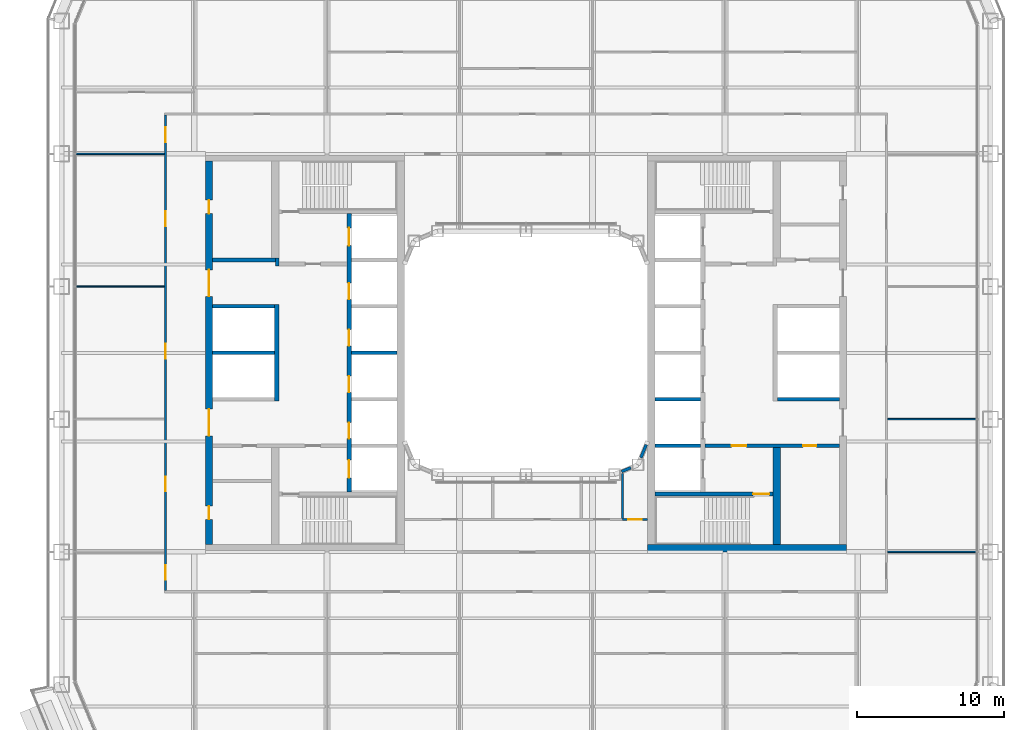
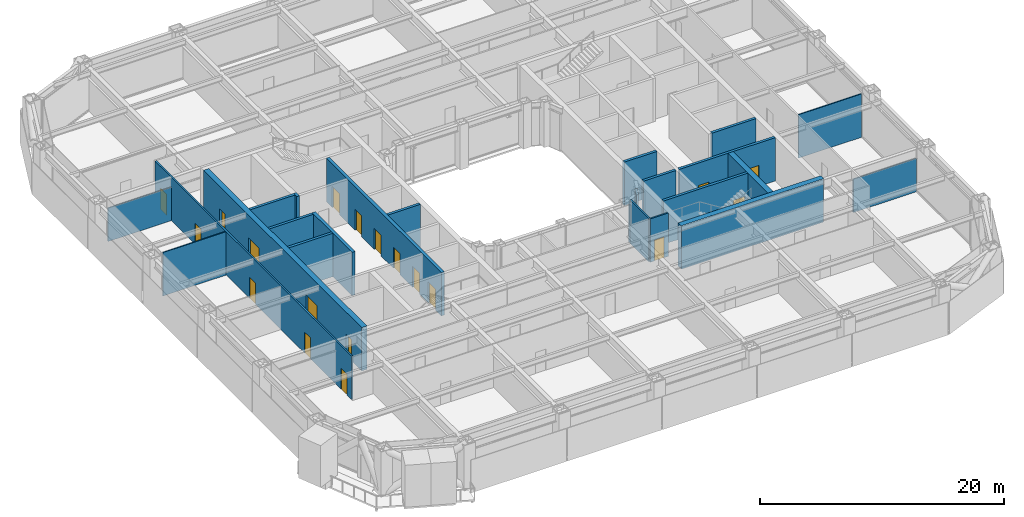
# One storey, part 14 of 27: 24 walls, 19 doors, 19 openings.
"""IFC4 building model written with IfcOpenShell, lengths in metres."""

import ifcopenshell
import ifcopenshell.guid

model = None  # the IFC model being written
_history = None  # IfcOwnerHistory: only IFC2X3 demands one
_inside = {}  # id of a spatial element -> (the spatial element, [elements in it])
_under = {}  # id of a project, library or spatial element -> (it, [spatial elements below it])
_declared = {}  # id of a project -> (the project, [libraries it declares])
_typed = {}  # id of a type object -> (the type object, [elements of that type])
_made_of = {}  # id of a material, layer set ... -> (it, [elements and type objects made of it])


def new_model(schema):
    """Start an empty IFC model of exactly this schema.

    Asked for "IFC4X3", IfcOpenShell would pick the latest addendum, in which some entities
    have other attributes; the version numbers below select the first issue.
    IFC2X3 requires an IfcOwnerHistory on every rooted entity: one is made here for all.
    """
    global model, _history
    if schema == "IFC4X3":
        model = ifcopenshell.file(schema_version=(4, 3, 0, 0))
    else:
        model = ifcopenshell.file(schema=schema)
    _inside.clear()
    _under.clear()
    _declared.clear()
    _typed.clear()
    _made_of.clear()
    _history = None
    if model.schema == "IFC2X3":
        org = make("IfcOrganization", Name="unknown")
        user = make(
            "IfcPersonAndOrganization",
            ThePerson=make("IfcPerson", FamilyName="unknown"),
            TheOrganization=org,
        )
        app = make(
            "IfcApplication",
            ApplicationDeveloper=org,
            Version="unknown",
            ApplicationFullName="unknown",
            ApplicationIdentifier="unknown",
        )
        _history = make(
            "IfcOwnerHistory",
            OwningUser=user,
            OwningApplication=app,
            ChangeAction="ADDED",
            CreationDate=0,
        )
    return model


def make(cls, **values):
    """One entity of the class cls with the attributes given. An attribute that is None is left unset."""
    return model.create_entity(
        cls, **{name: value for name, value in values.items() if value is not None}
    )


def rooted(cls, **values):
    """An entity with a GlobalId (a new one), such as an element, a storey or a relation."""
    return make(cls, GlobalId=ifcopenshell.guid.new(), OwnerHistory=_history, **values)


def si_unit(unit_type, name, prefix=None):
    """IfcSIUnit, for example si_unit("LENGTHUNIT", "METRE", prefix="MILLI")."""
    return make("IfcSIUnit", UnitType=unit_type, Prefix=prefix, Name=name)


def assignment(units):
    """IfcUnitAssignment: the units of a project."""
    return None if units is None else make("IfcUnitAssignment", Units=units)


def point(xyz):
    """IfcCartesianPoint."""
    return None if xyz is None else make("IfcCartesianPoint", Coordinates=xyz)


def direction(xyz):
    """IfcDirection."""
    return None if xyz is None else make("IfcDirection", DirectionRatios=xyz)


def frame(location, z_axis=None, x_axis=None):
    """IfcAxis2Placement3D, a coordinate frame: its origin and axes. An axis left out is left unset."""
    return make(
        "IfcAxis2Placement3D",
        Location=point(location),
        Axis=direction(z_axis),
        RefDirection=direction(x_axis),
    )


def frame_2d(location, x_axis=None):
    """IfcAxis2Placement2D, a coordinate frame in the plane: its origin and x axis."""
    return make(
        "IfcAxis2Placement2D", Location=point(location), RefDirection=direction(x_axis)
    )


def origin():
    """The frame at (0, 0, 0) with its axes left unset."""
    return frame((0.0, 0.0, 0.0))


def place(relative_to, where):
    """IfcLocalPlacement: puts the frame where relative to a parent placement (None: the world)."""
    return make(
        "IfcLocalPlacement", PlacementRelTo=relative_to, RelativePlacement=where
    )


def context(
    kind, dimensions, precision=None, world=None, true_north=None, identifier=None
):
    """IfcGeometricRepresentationContext, for example the 3D "Model" context."""
    return make(
        "IfcGeometricRepresentationContext",
        ContextIdentifier=identifier,
        ContextType=kind,
        CoordinateSpaceDimension=dimensions,
        Precision=precision,
        WorldCoordinateSystem=world,
        TrueNorth=true_north,
    )


def subcontext(parent, identifier, kind, view, scale=None):
    """IfcGeometricRepresentationSubContext, for example "Body" below "Model"."""
    return make(
        "IfcGeometricRepresentationSubContext",
        ContextIdentifier=identifier,
        ContextType=kind,
        ParentContext=parent,
        TargetScale=scale,
        TargetView=view,
    )


def project(units=None, contexts=None):
    """IfcProject with its units and contexts."""
    return rooted(
        "IfcProject",
        Name="project",
        RepresentationContexts=contexts,
        UnitsInContext=assignment(units),
    )


def spatial(cls, under=None, at=None, **own):
    """A site, building, storey or space (cls), placed at a placement, below another one or the project."""
    s = rooted(cls, ObjectPlacement=at, **own)
    if under is not None:
        _under.setdefault(under.id(), (under, []))[1].append(s)
    return s


def profile(cls, at=None, kind="AREA", **sizes):
    """A parametric profile (cls). Its sizes go by their IFC names, for example OverallWidth=200.0."""
    return make(cls, ProfileType=kind, Position=at, **sizes)


def rectangle(**sizes):
    """IfcRectangleProfileDef."""
    return profile("IfcRectangleProfileDef", **sizes)


def extrude(swept, where, along, depth):
    """IfcExtrudedAreaSolid: the profile swept, set in the frame where, extruded along a direction by depth."""
    return make(
        "IfcExtrudedAreaSolid",
        SweptArea=swept,
        Position=where,
        ExtrudedDirection=direction(along),
        Depth=depth,
    )


def shape(context_of_items, identifier, shape_type, items):
    """IfcShapeRepresentation: the items that make up one representation, for example the "Body"."""
    return make(
        "IfcShapeRepresentation",
        ContextOfItems=context_of_items,
        RepresentationIdentifier=identifier,
        RepresentationType=shape_type,
        Items=items,
    )


def material(Name=None, Category=None):
    """IfcMaterial."""
    return make("IfcMaterial", Name=Name, Category=Category)


def layer(
    of_material, thickness, ventilated=None, Name=None, Category=None, Priority=None
):
    """IfcMaterialLayer: one layer of a wall or slab, of a material (None: an air gap)."""
    return make(
        "IfcMaterialLayer",
        Material=of_material,
        LayerThickness=thickness,
        IsVentilated=ventilated,
        Name=Name,
        Category=Category,
        Priority=Priority,
    )


def layer_set(layers, Name=None):
    """IfcMaterialLayerSet."""
    return make("IfcMaterialLayerSet", MaterialLayers=layers, LayerSetName=Name)


def made_of(thing, what):
    """Note that an element or type object is made of a material, layer set ...; save() writes the relation."""
    if what is not None:
        _made_of.setdefault(what.id(), (what, []))[1].append(thing)
    return thing


def type_object(cls, material=None, **own):
    """A type object (cls), such as IfcWallType, which elements share."""
    return made_of(rooted(cls, **own), material)


def element(
    cls,
    number,
    at=None,
    inside=None,
    cuts=None,
    type_object=None,
    material=None,
    context=None,
    identifier="Body",
    shape_type=None,
    held_by="IfcProductDefinitionShape",
    body=None,
    shapes=None,
    **own,
):
    """One element of the class cls, such as IfcWall. Its Tag is "e" and its number.

    at: its placement. inside: the storey or other place that contains it. cuts: it is an
    opening in that element (IfcRelVoidsElement). A single representation is given by context,
    identifier, shape_type and body (its items); several are given by shapes. held_by: the class
    of the entity that holds the representations. save() writes the other relations.
    """
    e = rooted(cls, Tag="e%d" % number, ObjectPlacement=at, **own)
    if body is not None:
        shapes = [shape(context, identifier, shape_type, body)]
    if shapes is not None:
        e.Representation = make(held_by, Representations=shapes)
    if inside is not None:
        _inside.setdefault(inside.id(), (inside, []))[1].append(e)
    if cuts is not None:
        rooted(
            "IfcRelVoidsElement", RelatingBuildingElement=cuts, RelatedOpeningElement=e
        )
    if type_object is not None:
        _typed.setdefault(type_object.id(), (type_object, []))[1].append(e)
    return made_of(e, material)


def fill(opening, filler):
    """IfcRelFillsElement: the door or window that sits in an opening."""
    return rooted(
        "IfcRelFillsElement",
        RelatingOpeningElement=opening,
        RelatedBuildingElement=filler,
    )


def aggregate(whole, parts):
    """IfcRelAggregates: a whole, such as a stair, and the parts it consists of."""
    return rooted("IfcRelAggregates", RelatingObject=whole, RelatedObjects=parts)


def save(model, path):
    """Write the relations noted so far, then the file.

    IfcRelAggregates (storeys below a building ...), IfcRelContainedInSpatialStructure (elements
    in a storey), IfcRelDefinesByType, IfcRelAssociatesMaterial and IfcRelDeclares: one each for
    every whole, place, type object, material and project.
    """
    for whole, parts in _under.values():
        aggregate(whole, parts)
    for where, things in _inside.values():
        rooted(
            "IfcRelContainedInSpatialStructure",
            RelatedElements=things,
            RelatingStructure=where,
        )
    for kind, things in _typed.values():
        rooted("IfcRelDefinesByType", RelatedObjects=things, RelatingType=kind)
    for what, things in _made_of.values():
        rooted("IfcRelAssociatesMaterial", RelatedObjects=things, RelatingMaterial=what)
    for by, libraries in _declared.values():
        rooted("IfcRelDeclares", RelatingContext=by, RelatedDefinitions=libraries)
    model.write(path)


model = new_model("IFC4")

# Units and contexts
model_context = context("Model", 3, precision=1e-05, world=origin(), true_north=direction((0.0, 1.0)))
body_context = subcontext(model_context, "Body", "Model", "MODEL_VIEW")
ifc_project = project(units=[si_unit("LENGTHUNIT", "METRE"), si_unit("AREAUNIT", "SQUARE_METRE"), si_unit("VOLUMEUNIT", "CUBIC_METRE"), si_unit("PLANEANGLEUNIT", "RADIAN"), si_unit("MASSUNIT", "GRAM", prefix="KILO")], contexts=[model_context])

# Site, building, storey
site_placement = place(None, origin())
site = spatial("IfcSite", under=ifc_project, at=site_placement, CompositionType="ELEMENT")
building_placement = place(site_placement, origin())
building = spatial("IfcBuilding", under=site, at=building_placement, Name="Siwar Civic Tower", CompositionType="ELEMENT")
storey_placement = place(building_placement, frame((0.0, 0.0, 35.699951171875)))
storey = spatial("IfcBuildingStorey", under=building, at=storey_placement, Name="L07", CompositionType="ELEMENT", Elevation=35.699951171875)

# Wall, opening, door
ifc_material_1 = material(Name="Gypsum board on steel studs", Category="steel")
ifc_layer_1 = layer(ifc_material_1, 0.14990234375)
ifc_layer_set_1 = layer_set([ifc_layer_1], Name="Gypsum board on steel studs")
wall_type_1 = type_object("IfcWallType", Name="COMPARTMENT PARTITION 150 EI 60", PredefinedType="PARTITIONING", material=ifc_layer_set_1)
wall_1_placement = place(storey_placement, frame((6.5400390625, -11.300048828125, 0.0), z_axis=(0.0, 0.0, 1.0), x_axis=(1.0, 0.0, 0.0)))
wall_1 = element("IfcWall", 1, at=wall_1_placement, inside=storey, type_object=wall_type_1, Name="L07/wall/P08", PredefinedType="PARTITIONING", context=body_context, shape_type="SweptSolid", body=[
    extrude(rectangle(XDim=1.7099609375, YDim=0.14990234375, at=frame_2d((0.85498046875, 0.0))), origin(), (0.0, 0.0, 1.0), 4.35009765625),
])
opening_1_placement = place(wall_1_placement, frame((0.409912109375, 0.0, 0.0)))
opening_1 = element("IfcOpeningElement", 2, at=opening_1_placement, cuts=wall_1, Name="Opening D4", PredefinedType="OPENING", context=body_context, shape_type="SweptSolid", body=[
    extrude(rectangle(XDim=0.89990234375, YDim=2.10009765625, at=frame_2d((0.449951171875, 1.050048828125))), frame((0.0, 0.0849609375, 0.0), z_axis=(0.0, -1.0, 0.0), x_axis=(1.0, 0.0, 0.0)), (0.0, 0.0, 1.0), 0.169921875),
])
ifc_material_2 = material(Name="Timber, painted", Category="wood")
door_type_1 = type_object("IfcDoorType", Name="DOOR 900 X 2100 FD60", OperationType="SINGLE_SWING_LEFT", PredefinedType="DOOR", material=ifc_material_2)
door_1_placement = place(opening_1_placement, origin())
door_1 = element("IfcDoor", 3, at=door_1_placement, inside=storey, type_object=door_type_1, Name="L07-D37", OperationType="SINGLE_SWING_LEFT", OverallHeight=2.10009765625, OverallWidth=0.89990234375, PredefinedType="DOOR", context=body_context, shape_type="SweptSolid", body=[
    extrude(rectangle(XDim=0.89990234375, YDim=2.10009765625, at=frame_2d((0.449951171875, 1.050048828125))), frame((0.0, 0.02490234375, 0.0), z_axis=(0.0, -1.0, 0.0), x_axis=(1.0, 0.0, 0.0)), (0.0, 0.0, 1.0), 0.050048828125),
])
fill(opening_1, door_1)

# Walls
wall_2_placement = place(storey_placement, frame((6.5400390625, -11.22509765625, 0.0), z_axis=(0.0, 0.0, 1.0), x_axis=(0.0, 1.0, 0.0)))
element("IfcWall", 4, at=wall_2_placement, inside=storey, type_object=wall_type_1, Name="L07/wall/P35", PredefinedType="PARTITIONING", context=body_context, shape_type="SweptSolid", body=[
    extrude(rectangle(XDim=3.049072265625, YDim=0.14990234375, at=frame_2d((1.5244140625, 0.0))), origin(), (0.0, 0.0, 1.0), 4.35009765625),
])
ifc_material_3 = material(Name="Concrete C60/75", Category="concrete")
ifc_layer_2 = layer(ifc_material_3, 0.25)
ifc_layer_set_2 = layer_set([ifc_layer_2], Name="Concrete C60/75")
wall_type_2 = type_object("IfcWallType", Name="CORE-WALL-RC250", PredefinedType="SHEAR", material=ifc_layer_set_2)
wall_3_placement = place(storey_placement, frame((-16.875, 5.89990234375, 0.0), z_axis=(0.0, 0.0, 1.0), x_axis=(0.0, 1.0, 0.0)))
element("IfcWall", 5, at=wall_3_placement, inside=storey, type_object=wall_type_2, Name="Core wall W", PredefinedType="SHEAR", context=body_context, shape_type="SweptSolid", body=[
    extrude(rectangle(XDim=0.525146484375, YDim=0.25, at=frame_2d((0.2626953125, 0.0))), origin(), (0.0, 0.0, 1.0), 4.35009765625),
])
wall_4_placement = place(storey_placement, frame((-17.0, 6.300048828125, 0.0), z_axis=(0.0, 0.0, 1.0), x_axis=(-1.0, 0.0, 0.0)))
element("IfcWall", 6, at=wall_4_placement, inside=storey, type_object=wall_type_2, Name="Core wall W", PredefinedType="SHEAR", context=body_context, shape_type="SweptSolid", body=[
    extrude(rectangle(XDim=4.25, YDim=0.25, at=frame_2d((2.125, 0.0))), origin(), (0.0, 0.0, 1.0), 4.35009765625),
])
for number, where, z_axis, x_axis, name in (
    (7, (-17.050048828125, 0.0, 0.0), (0.0, 0.0, 1.0), (-1.0, 0.0, 0.0), "Core wall W"),
    (8, (-17.050048828125, 3.14990234375, 0.0), (0.0, 0.0, 1.0), (-1.0, 0.0, 0.0), "Core wall W"),
):
    element("IfcWall", number, at=place(storey_placement, frame(where, z_axis=z_axis, x_axis=x_axis)), inside=storey, type_object=wall_type_2, Name=name, PredefinedType="SHEAR", context=body_context, shape_type="SweptSolid", body=[
        extrude(rectangle(XDim=4.199951171875, YDim=0.25, at=frame_2d((2.10009765625, 0.0))), origin(), (0.0, 0.0, 1.0), 4.35009765625),
    ])
wall_5_placement = place(storey_placement, frame((-8.75, 0.0, 0.0), z_axis=(0.0, 0.0, 1.0), x_axis=(-1.0, 0.0, 0.0)))
element("IfcWall", 9, at=wall_5_placement, inside=storey, type_object=wall_type_2, Name="Core wall W", PredefinedType="SHEAR", context=body_context, shape_type="SweptSolid", body=[
    extrude(rectangle(XDim=3.10009765625, YDim=0.25, at=frame_2d((1.550048828125, 0.0))), origin(), (0.0, 0.0, 1.0), 4.35009765625),
])

# Wall, openings, doors
wall_6_placement = place(storey_placement, frame((12.14990234375, -6.300048828125, 0.0), z_axis=(0.0, 0.0, 1.0), x_axis=(1.0, 0.0, 0.0)))
wall_6 = element("IfcWall", 10, at=wall_6_placement, inside=storey, type_object=wall_type_2, Name="Core wall E", PredefinedType="SHEAR", context=body_context, shape_type="SweptSolid", body=[
    extrude(rectangle(XDim=9.10009765625, YDim=0.25, at=frame_2d((4.550048828125, 0.0))), origin(), (0.0, 0.0, 1.0), 4.35009765625),
])
opening_2_placement = place(wall_6_placement, frame((1.800048828125, 0.0, 0.0)))
opening_2 = element("IfcOpeningElement", 11, at=opening_2_placement, cuts=wall_6, Name="Opening L07-CE02", PredefinedType="OPENING", context=body_context, shape_type="SweptSolid", body=[
    extrude(rectangle(XDim=1.0, YDim=2.10009765625, at=frame_2d((0.5, 1.050048828125))), frame((0.0, 0.135009765625, 0.0), z_axis=(0.0, -1.0, 0.0), x_axis=(1.0, 0.0, 0.0)), (0.0, 0.0, 1.0), 0.27001953125),
])
opening_3_placement = place(wall_6_placement, frame((6.64990234375, 0.0, 0.0)))
opening_3 = element("IfcOpeningElement", 12, at=opening_3_placement, cuts=wall_6, Name="Opening L07-CE15", PredefinedType="OPENING", context=body_context, shape_type="SweptSolid", body=[
    extrude(rectangle(XDim=0.89990234375, YDim=2.10009765625, at=frame_2d((0.449951171875, 1.050048828125))), frame((0.0, 0.135009765625, 0.0), z_axis=(0.0, -1.0, 0.0), x_axis=(1.0, 0.0, 0.0)), (0.0, 0.0, 1.0), 0.27001953125),
])
ifc_material_4 = material(Name="Steel door leaf", Category="steel")
door_type_2 = type_object("IfcDoorType", Name="CORE-DOOR-FD30S", OperationType="SINGLE_SWING_LEFT", PredefinedType="DOOR", material=ifc_material_4)
door_2_placement = place(opening_2_placement, origin())
door_2 = element("IfcDoor", 13, at=door_2_placement, inside=storey, type_object=door_type_2, Name="Service lobby door L07-CE02", OperationType="SINGLE_SWING_LEFT", OverallHeight=2.10009765625, OverallWidth=1.0, PredefinedType="DOOR", context=body_context, shape_type="SweptSolid", body=[
    extrude(rectangle(XDim=1.0, YDim=2.10009765625, at=frame_2d((0.5, 1.050048828125))), frame((0.0, 0.02490234375, 0.0), z_axis=(0.0, -1.0, 0.0), x_axis=(1.0, 0.0, 0.0)), (0.0, 0.0, 1.0), 0.050048828125),
])
fill(opening_2, door_2)
ifc_material_5 = material(Name="Steel door leaf", Category="steel")
door_type_3 = type_object("IfcDoorType", Name="CORE-DOOR-ROOM", OperationType="SINGLE_SWING_LEFT", PredefinedType="DOOR", material=ifc_material_5)
door_3_placement = place(opening_3_placement, origin())
door_3 = element("IfcDoor", 14, at=door_3_placement, inside=storey, type_object=door_type_3, Name="Core room door L07-CE15", OperationType="SINGLE_SWING_LEFT", OverallHeight=2.10009765625, OverallWidth=0.89990234375, PredefinedType="DOOR", context=body_context, shape_type="SweptSolid", body=[
    extrude(rectangle(XDim=0.89990234375, YDim=2.10009765625, at=frame_2d((0.449951171875, 1.050048828125))), frame((0.0, 0.02490234375, 0.0), z_axis=(0.0, -1.0, 0.0), x_axis=(1.0, 0.0, 0.0)), (0.0, 0.0, 1.0), 0.050048828125),
])
fill(opening_3, door_3)

# Walls
wall_7_placement = place(storey_placement, frame((17.050048828125, -3.14990234375, 0.0), z_axis=(0.0, 0.0, 1.0), x_axis=(1.0, 0.0, 0.0)))
element("IfcWall", 15, at=wall_7_placement, inside=storey, type_object=wall_type_2, Name="Core wall E", PredefinedType="SHEAR", context=body_context, shape_type="SweptSolid", body=[
    extrude(rectangle(XDim=4.199951171875, YDim=0.25, at=frame_2d((2.10009765625, 0.0))), origin(), (0.0, 0.0, 1.0), 4.35009765625),
])
for number, where, z_axis, x_axis, name in (
    (16, (8.75, -3.14990234375, 0.0), (0.0, 0.0, 1.0), (1.0, 0.0, 0.0), "Core wall E"),
    (17, (8.75, -6.300048828125, 0.0), (0.0, 0.0, 1.0), (1.0, 0.0, 0.0), "Core wall E"),
):
    element("IfcWall", number, at=place(storey_placement, frame(where, z_axis=z_axis, x_axis=x_axis)), inside=storey, type_object=wall_type_2, Name=name, PredefinedType="SHEAR", context=body_context, shape_type="SweptSolid", body=[
        extrude(rectangle(XDim=3.10009765625, YDim=0.25, at=frame_2d((1.550048828125, 0.0))), origin(), (0.0, 0.0, 1.0), 4.35009765625),
    ])

# Wall, opening, door
wall_8_placement = place(storey_placement, frame((8.75, -9.574951171875, 0.0), z_axis=(0.0, 0.0, 1.0), x_axis=(1.0, 0.0, 0.0)))
wall_8 = element("IfcWall", 18, at=wall_8_placement, inside=storey, type_object=wall_type_2, Name="Core wall E", PredefinedType="SHEAR", context=body_context, shape_type="SweptSolid", body=[
    extrude(rectangle(XDim=8.0, YDim=0.25, at=frame_2d((4.0, 0.0))), origin(), (0.0, 0.0, 1.0), 4.35009765625),
])
opening_4_placement = place(wall_8_placement, frame((6.64990234375, 0.0, 0.0)))
opening_4 = element("IfcOpeningElement", 19, at=opening_4_placement, cuts=wall_8, Name="Opening L07-CE04", PredefinedType="OPENING", context=body_context, shape_type="SweptSolid", body=[
    extrude(rectangle(XDim=1.10009765625, YDim=2.10009765625, at=frame_2d((0.550048828125, 1.050048828125))), frame((0.0, 0.135009765625, 0.0), z_axis=(0.0, -1.0, 0.0), x_axis=(1.0, 0.0, 0.0)), (0.0, 0.0, 1.0), 0.27001953125),
])
ifc_material_6 = material(Name="Steel door leaf", Category="steel")
door_type_4 = type_object("IfcDoorType", Name="CORE-DOOR-FD60S", OperationType="SINGLE_SWING_LEFT", PredefinedType="DOOR", material=ifc_material_6)
door_4_placement = place(opening_4_placement, origin())
door_4 = element("IfcDoor", 20, at=door_4_placement, inside=storey, type_object=door_type_4, Name="Stair door L07-CE04", OperationType="SINGLE_SWING_RIGHT", OverallHeight=2.10009765625, OverallWidth=1.10009765625, PredefinedType="DOOR", context=body_context, shape_type="SweptSolid", body=[
    extrude(rectangle(XDim=1.10009765625, YDim=2.10009765625, at=frame_2d((0.550048828125, 1.050048828125))), frame((0.0, 0.02490234375, 0.0), z_axis=(0.0, -1.0, 0.0), x_axis=(1.0, 0.0, 0.0)), (0.0, 0.0, 1.0), 0.050048828125),
])
fill(opening_4, door_4)

# Wall, openings, doors
ifc_material_7 = material(Name="Concrete C60/75", Category="concrete")
ifc_layer_3 = layer(ifc_material_7, 0.300048828125)
ifc_layer_set_3 = layer_set([ifc_layer_3], Name="Concrete C60/75")
wall_type_3 = type_object("IfcWallType", Name="CORE-WALL-RC300", PredefinedType="SHEAR", material=ifc_layer_set_3)
wall_9_placement = place(storey_placement, frame((-12.0, -9.449951171875, 0.0), z_axis=(0.0, 0.0, 1.0), x_axis=(0.0, 1.0, 0.0)))
wall_9 = element("IfcWall", 21, at=wall_9_placement, inside=storey, type_object=wall_type_3, Name="Core wall W", PredefinedType="SHEAR", context=body_context, shape_type="SweptSolid", body=[
    extrude(rectangle(XDim=18.89990234375, YDim=0.300048828125, at=frame_2d((9.449951171875, 0.0))), origin(), (0.0, 0.0, 1.0), 4.35009765625),
])
opening_5_placement = place(wall_9_placement, frame((3.625, 0.0, 0.0)))
opening_5 = element("IfcOpeningElement", 22, at=opening_5_placement, cuts=wall_9, Name="Opening L07-CW07", PredefinedType="OPENING", context=body_context, shape_type="SweptSolid", body=[
    extrude(rectangle(XDim=1.10009765625, YDim=2.10009765625, at=frame_2d((0.550048828125, 1.050048828125))), frame((0.0, 0.16015625, 0.0), z_axis=(0.0, -1.0, 0.0), x_axis=(1.0, 0.0, 0.0)), (0.0, 0.0, 1.0), 0.320068359375),
])
opening_6_placement = place(wall_9_placement, frame((6.77490234375, 0.0, 0.0)))
opening_6 = element("IfcOpeningElement", 23, at=opening_6_placement, cuts=wall_9, Name="Opening L07-CW08", PredefinedType="OPENING", context=body_context, shape_type="SweptSolid", body=[
    extrude(rectangle(XDim=1.10009765625, YDim=2.10009765625, at=frame_2d((0.550048828125, 1.050048828125))), frame((0.0, 0.16015625, 0.0), z_axis=(0.0, -1.0, 0.0), x_axis=(1.0, 0.0, 0.0)), (0.0, 0.0, 1.0), 0.320068359375),
])
opening_7_placement = place(wall_9_placement, frame((9.925048828125, 0.0, 0.0)))
opening_7 = element("IfcOpeningElement", 24, at=opening_7_placement, cuts=wall_9, Name="Opening L07-CW09", PredefinedType="OPENING", context=body_context, shape_type="SweptSolid", body=[
    extrude(rectangle(XDim=1.10009765625, YDim=2.10009765625, at=frame_2d((0.550048828125, 1.050048828125))), frame((0.0, 0.16015625, 0.0), z_axis=(0.0, -1.0, 0.0), x_axis=(1.0, 0.0, 0.0)), (0.0, 0.0, 1.0), 0.320068359375),
])
opening_8_placement = place(wall_9_placement, frame((13.074951171875, 0.0, 0.0)))
opening_8 = element("IfcOpeningElement", 25, at=opening_8_placement, cuts=wall_9, Name="Opening L07-CW10", PredefinedType="OPENING", context=body_context, shape_type="SweptSolid", body=[
    extrude(rectangle(XDim=1.10009765625, YDim=2.10009765625, at=frame_2d((0.550048828125, 1.050048828125))), frame((0.0, 0.16015625, 0.0), z_axis=(0.0, -1.0, 0.0), x_axis=(1.0, 0.0, 0.0)), (0.0, 0.0, 1.0), 0.320068359375),
])
opening_9_placement = place(wall_9_placement, frame((16.72509765625, 0.0, 0.0)))
opening_9 = element("IfcOpeningElement", 26, at=opening_9_placement, cuts=wall_9, Name="Opening L07-CW11", PredefinedType="OPENING", context=body_context, shape_type="SweptSolid", body=[
    extrude(rectangle(XDim=1.199951171875, YDim=2.10009765625, at=frame_2d((0.60009765625, 1.050048828125))), frame((0.0, 0.16015625, 0.0), z_axis=(0.0, -1.0, 0.0), x_axis=(1.0, 0.0, 0.0)), (0.0, 0.0, 1.0), 0.320068359375),
])
opening_10_placement = place(wall_9_placement, frame((0.97509765625, 0.0, 0.0)))
opening_10 = element("IfcOpeningElement", 27, at=opening_10_placement, cuts=wall_9, Name="Opening L07-CW12", PredefinedType="OPENING", context=body_context, shape_type="SweptSolid", body=[
    extrude(rectangle(XDim=1.199951171875, YDim=2.10009765625, at=frame_2d((0.60009765625, 1.050048828125))), frame((0.0, 0.16015625, 0.0), z_axis=(0.0, -1.0, 0.0), x_axis=(1.0, 0.0, 0.0)), (0.0, 0.0, 1.0), 0.320068359375),
])
ifc_material_8 = material(Name="Steel door leaf", Category="steel")
door_type_5 = type_object("IfcDoorType", Name="CORE-DOOR-LD", OperationType="DOUBLE_DOOR_SLIDING", PredefinedType="DOOR", material=ifc_material_8)
door_5_placement = place(opening_5_placement, origin())
door_5 = element("IfcDoor", 28, at=door_5_placement, inside=storey, type_object=door_type_5, Name="Landing door LR1 L07-CW07", OperationType="DOUBLE_DOOR_SLIDING", OverallHeight=2.10009765625, OverallWidth=1.10009765625, PredefinedType="DOOR", context=body_context, shape_type="SweptSolid", body=[
    extrude(rectangle(XDim=1.10009765625, YDim=2.10009765625, at=frame_2d((0.550048828125, 1.050048828125))), frame((0.0, 0.02490234375, 0.0), z_axis=(0.0, -1.0, 0.0), x_axis=(1.0, 0.0, 0.0)), (0.0, 0.0, 1.0), 0.050048828125),
])
fill(opening_5, door_5)
door_6_placement = place(opening_6_placement, origin())
door_6 = element("IfcDoor", 29, at=door_6_placement, inside=storey, type_object=door_type_5, Name="Landing door LR2 L07-CW08", OperationType="DOUBLE_DOOR_SLIDING", OverallHeight=2.10009765625, OverallWidth=1.10009765625, PredefinedType="DOOR", context=body_context, shape_type="SweptSolid", body=[
    extrude(rectangle(XDim=1.10009765625, YDim=2.10009765625, at=frame_2d((0.550048828125, 1.050048828125))), frame((0.0, 0.02490234375, 0.0), z_axis=(0.0, -1.0, 0.0), x_axis=(1.0, 0.0, 0.0)), (0.0, 0.0, 1.0), 0.050048828125),
])
fill(opening_6, door_6)
door_7_placement = place(opening_7_placement, origin())
door_7 = element("IfcDoor", 30, at=door_7_placement, inside=storey, type_object=door_type_5, Name="Landing door LR3 L07-CW09", OperationType="DOUBLE_DOOR_SLIDING", OverallHeight=2.10009765625, OverallWidth=1.10009765625, PredefinedType="DOOR", context=body_context, shape_type="SweptSolid", body=[
    extrude(rectangle(XDim=1.10009765625, YDim=2.10009765625, at=frame_2d((0.550048828125, 1.050048828125))), frame((0.0, 0.02490234375, 0.0), z_axis=(0.0, -1.0, 0.0), x_axis=(1.0, 0.0, 0.0)), (0.0, 0.0, 1.0), 0.050048828125),
])
fill(opening_7, door_7)
door_8_placement = place(opening_8_placement, origin())
door_8 = element("IfcDoor", 31, at=door_8_placement, inside=storey, type_object=door_type_5, Name="Landing door LR4 L07-CW10", OperationType="DOUBLE_DOOR_SLIDING", OverallHeight=2.10009765625, OverallWidth=1.10009765625, PredefinedType="DOOR", context=body_context, shape_type="SweptSolid", body=[
    extrude(rectangle(XDim=1.10009765625, YDim=2.10009765625, at=frame_2d((0.550048828125, 1.050048828125))), frame((0.0, 0.02490234375, 0.0), z_axis=(0.0, -1.0, 0.0), x_axis=(1.0, 0.0, 0.0)), (0.0, 0.0, 1.0), 0.050048828125),
])
fill(opening_8, door_8)
ifc_material_9 = material(Name="Steel door leaf", Category="steel")
door_type_6 = type_object("IfcDoorType", Name="CORE-DOOR-LDW", OperationType="DOUBLE_DOOR_SLIDING", PredefinedType="DOOR", material=ifc_material_9)
door_9_placement = place(opening_9_placement, origin())
door_9 = element("IfcDoor", 32, at=door_9_placement, inside=storey, type_object=door_type_6, Name="Landing door FF1 L07-CW11", OperationType="DOUBLE_DOOR_SLIDING", OverallHeight=2.10009765625, OverallWidth=1.199951171875, PredefinedType="DOOR", context=body_context, shape_type="SweptSolid", body=[
    extrude(rectangle(XDim=1.199951171875, YDim=2.10009765625, at=frame_2d((0.60009765625, 1.050048828125))), frame((0.0, 0.02490234375, 0.0), z_axis=(0.0, -1.0, 0.0), x_axis=(1.0, 0.0, 0.0)), (0.0, 0.0, 1.0), 0.050048828125),
])
fill(opening_9, door_9)
door_10_placement = place(opening_10_placement, origin())
door_10 = element("IfcDoor", 33, at=door_10_placement, inside=storey, type_object=door_type_6, Name="Landing door SV1 L07-CW12", OperationType="DOUBLE_DOOR_SLIDING", OverallHeight=2.10009765625, OverallWidth=1.199951171875, PredefinedType="DOOR", context=body_context, shape_type="SweptSolid", body=[
    extrude(rectangle(XDim=1.199951171875, YDim=2.10009765625, at=frame_2d((0.60009765625, 1.050048828125))), frame((0.0, 0.02490234375, 0.0), z_axis=(0.0, -1.0, 0.0), x_axis=(1.0, 0.0, 0.0)), (0.0, 0.0, 1.0), 0.050048828125),
])
fill(opening_10, door_10)

# Wall
wall_10_placement = place(storey_placement, frame((-16.89990234375, -3.27490234375, 0.0), z_axis=(0.0, 0.0, 1.0), x_axis=(0.0, 1.0, 0.0)))
element("IfcWall", 34, at=wall_10_placement, inside=storey, type_object=wall_type_3, Name="Core wall W", PredefinedType="SHEAR", context=body_context, shape_type="SweptSolid", body=[
    extrude(rectangle(XDim=6.5498046875, YDim=0.300048828125, at=frame_2d((3.27490234375, 0.0))), origin(), (0.0, 0.0, 1.0), 4.35009765625),
])

# Wall, openings, doors
ifc_material_10 = material(Name="Concrete C60/75", Category="concrete")
ifc_layer_4 = layer(ifc_material_10, 0.5)
ifc_layer_set_4 = layer_set([ifc_layer_4], Name="Concrete C60/75")
wall_type_4 = type_object("IfcWallType", Name="CORE-WALL-RC500", PredefinedType="SHEAR", material=ifc_layer_set_4)
wall_11_placement = place(storey_placement, frame((-21.5, -13.0, 0.0), z_axis=(0.0, 0.0, 1.0), x_axis=(0.0, 1.0, 0.0)))
wall_11 = element("IfcWall", 35, at=wall_11_placement, inside=storey, type_object=wall_type_4, Name="Core wall W", PredefinedType="SHEAR", context=body_context, shape_type="SweptSolid", body=[
    extrude(rectangle(XDim=26.0, YDim=0.5, at=frame_2d((13.0, 0.0))), origin(), (0.0, 0.0, 1.0), 4.35009765625),
])
opening_11_placement = place(wall_11_placement, frame((16.824951171875, 0.0, 0.0)))
opening_11 = element("IfcOpeningElement", 36, at=opening_11_placement, cuts=wall_11, Name="Opening L07-CW05", PredefinedType="OPENING", context=body_context, shape_type="SweptSolid", body=[
    extrude(rectangle(XDim=1.800048828125, YDim=2.10009765625, at=frame_2d((0.89990234375, 1.050048828125))), frame((0.0, 0.260009765625, 0.0), z_axis=(0.0, -1.0, 0.0), x_axis=(1.0, 0.0, 0.0)), (0.0, 0.0, 1.0), 0.52001953125),
])
opening_12_placement = place(wall_11_placement, frame((7.375, 0.0, 0.0)))
opening_12 = element("IfcOpeningElement", 37, at=opening_12_placement, cuts=wall_11, Name="Opening L07-CW06", PredefinedType="OPENING", context=body_context, shape_type="SweptSolid", body=[
    extrude(rectangle(XDim=1.800048828125, YDim=2.10009765625, at=frame_2d((0.89990234375, 1.050048828125))), frame((0.0, 0.260009765625, 0.0), z_axis=(0.0, -1.0, 0.0), x_axis=(1.0, 0.0, 0.0)), (0.0, 0.0, 1.0), 0.52001953125),
])
opening_13_placement = place(wall_11_placement, frame((22.449951171875, 0.0, 0.0)))
opening_13 = element("IfcOpeningElement", 38, at=opening_13_placement, cuts=wall_11, Name="Opening L07-CW13", PredefinedType="OPENING", context=body_context, shape_type="SweptSolid", body=[
    extrude(rectangle(XDim=0.89990234375, YDim=2.10009765625, at=frame_2d((0.449951171875, 1.050048828125))), frame((0.0, 0.260009765625, 0.0), z_axis=(0.0, -1.0, 0.0), x_axis=(1.0, 0.0, 0.0)), (0.0, 0.0, 1.0), 0.52001953125),
])
opening_14_placement = place(wall_11_placement, frame((1.699951171875, 0.0, 0.0)))
opening_14 = element("IfcOpeningElement", 39, at=opening_14_placement, cuts=wall_11, Name="Opening L07-CW15", PredefinedType="OPENING", context=body_context, shape_type="SweptSolid", body=[
    extrude(rectangle(XDim=0.89990234375, YDim=2.10009765625, at=frame_2d((0.449951171875, 1.050048828125))), frame((0.0, 0.260009765625, 0.0), z_axis=(0.0, -1.0, 0.0), x_axis=(1.0, 0.0, 0.0)), (0.0, 0.0, 1.0), 0.52001953125),
])
ifc_material_11 = material(Name="Steel door leaf", Category="steel")
door_type_7 = type_object("IfcDoorType", Name="CORE-DOOR-PORT", OperationType="DOUBLE_DOOR_DOUBLE_SWING", PredefinedType="DOOR", material=ifc_material_11)
door_11_placement = place(opening_11_placement, origin())
door_11 = element("IfcDoor", 40, at=door_11_placement, inside=storey, type_object=door_type_7, Name="Core entrance door L07-CW05", OperationType="DOUBLE_DOOR_DOUBLE_SWING", OverallHeight=2.10009765625, OverallWidth=1.800048828125, PredefinedType="DOOR", context=body_context, shape_type="SweptSolid", body=[
    extrude(rectangle(XDim=1.800048828125, YDim=2.10009765625, at=frame_2d((0.89990234375, 1.050048828125))), frame((0.0, 0.02490234375, 0.0), z_axis=(0.0, -1.0, 0.0), x_axis=(1.0, 0.0, 0.0)), (0.0, 0.0, 1.0), 0.050048828125),
])
fill(opening_11, door_11)
door_12_placement = place(opening_12_placement, origin())
door_12 = element("IfcDoor", 41, at=door_12_placement, inside=storey, type_object=door_type_7, Name="Core entrance door L07-CW06", OperationType="DOUBLE_DOOR_DOUBLE_SWING", OverallHeight=2.10009765625, OverallWidth=1.800048828125, PredefinedType="DOOR", context=body_context, shape_type="SweptSolid", body=[
    extrude(rectangle(XDim=1.800048828125, YDim=2.10009765625, at=frame_2d((0.89990234375, 1.050048828125))), frame((0.0, 0.02490234375, 0.0), z_axis=(0.0, -1.0, 0.0), x_axis=(1.0, 0.0, 0.0)), (0.0, 0.0, 1.0), 0.050048828125),
])
fill(opening_12, door_12)
door_13_placement = place(opening_13_placement, origin())
door_13 = element("IfcDoor", 42, at=door_13_placement, inside=storey, type_object=door_type_3, Name="Core room door L07-CW13", OperationType="SINGLE_SWING_RIGHT", OverallHeight=2.10009765625, OverallWidth=0.89990234375, PredefinedType="DOOR", context=body_context, shape_type="SweptSolid", body=[
    extrude(rectangle(XDim=0.89990234375, YDim=2.10009765625, at=frame_2d((0.449951171875, 1.050048828125))), frame((0.0, 0.02490234375, 0.0), z_axis=(0.0, -1.0, 0.0), x_axis=(1.0, 0.0, 0.0)), (0.0, 0.0, 1.0), 0.050048828125),
])
fill(opening_13, door_13)
door_14_placement = place(opening_14_placement, origin())
door_14 = element("IfcDoor", 43, at=door_14_placement, inside=storey, type_object=door_type_3, Name="Core room door L07-CW15", OperationType="SINGLE_SWING_RIGHT", OverallHeight=2.10009765625, OverallWidth=0.89990234375, PredefinedType="DOOR", context=body_context, shape_type="SweptSolid", body=[
    extrude(rectangle(XDim=0.89990234375, YDim=2.10009765625, at=frame_2d((0.449951171875, 1.050048828125))), frame((0.0, 0.02490234375, 0.0), z_axis=(0.0, -1.0, 0.0), x_axis=(1.0, 0.0, 0.0)), (0.0, 0.0, 1.0), 0.050048828125),
])
fill(opening_14, door_14)

# Walls
wall_12_placement = place(storey_placement, frame((17.0, -13.0, 0.0), z_axis=(0.0, 0.0, 1.0), x_axis=(0.0, 1.0, 0.0)))
element("IfcWall", 44, at=wall_12_placement, inside=storey, type_object=wall_type_4, Name="Core wall E", PredefinedType="SHEAR", context=body_context, shape_type="SweptSolid", body=[
    extrude(rectangle(XDim=6.574951171875, YDim=0.5, at=frame_2d((3.28759765625, 0.0))), origin(), (0.0, 0.0, 1.0), 4.35009765625),
])
wall_13_placement = place(storey_placement, frame((8.25, -13.25, 0.0), z_axis=(0.0, 0.0, 1.0), x_axis=(1.0, 0.0, 0.0)))
element("IfcWall", 45, at=wall_13_placement, inside=storey, type_object=wall_type_4, Name="Core wall E", PredefinedType="SHEAR", context=body_context, shape_type="SweptSolid", body=[
    extrude(rectangle(XDim=13.5, YDim=0.5, at=frame_2d((6.75, 0.0))), origin(), (0.0, 0.0, 1.0), 4.35009765625),
])

# Wall, openings, doors
ifc_material_12 = material(Name="Gypsum board on steel studs", Category="steel")
ifc_layer_5 = layer(ifc_material_12, 0.14990234375)
ifc_layer_set_5 = layer_set([ifc_layer_5], Name="Gypsum board on steel studs")
wall_type_5 = type_object("IfcWallType", Name="CORRIDOR PARTITION 150 EI 30", PredefinedType="PARTITIONING", material=ifc_layer_set_5)
wall_14_placement = place(storey_placement, frame((-24.449951171875, -16.125, 0.0), z_axis=(0.0, 0.0, 1.0), x_axis=(0.0, 1.0, 0.0)))
wall_14 = element("IfcWall", 46, at=wall_14_placement, inside=storey, type_object=wall_type_5, Name="L07/wall/P22", PredefinedType="PARTITIONING", context=body_context, shape_type="SweptSolid", body=[
    extrude(rectangle(XDim=32.25, YDim=0.14990234375, at=frame_2d((16.125, 0.0))), origin(), (0.0, 0.0, 1.0), 4.35009765625),
])
opening_15_placement = place(wall_14_placement, frame((30.425048828125, 0.0, 0.0)))
opening_15 = element("IfcOpeningElement", 47, at=opening_15_placement, cuts=wall_14, Name="Opening D1", PredefinedType="OPENING", context=body_context, shape_type="SweptSolid", body=[
    extrude(rectangle(XDim=1.0, YDim=2.10009765625, at=frame_2d((0.5, 1.050048828125))), frame((0.0, 0.0849609375, 0.0), z_axis=(0.0, -1.0, 0.0), x_axis=(1.0, 0.0, 0.0)), (0.0, 0.0, 1.0), 0.169921875),
])
opening_16_placement = place(wall_14_placement, frame((0.72509765625, 0.0, 0.0)))
opening_16 = element("IfcOpeningElement", 48, at=opening_16_placement, cuts=wall_14, Name="Opening D1", PredefinedType="OPENING", context=body_context, shape_type="SweptSolid", body=[
    extrude(rectangle(XDim=1.0, YDim=2.10009765625, at=frame_2d((0.5, 1.050048828125))), frame((0.0, 0.0849609375, 0.0), z_axis=(0.0, -1.0, 0.0), x_axis=(1.0, 0.0, 0.0)), (0.0, 0.0, 1.0), 0.169921875),
])
opening_17_placement = place(wall_14_placement, frame((6.72509765625, 0.0, 0.0)))
opening_17 = element("IfcOpeningElement", 49, at=opening_17_placement, cuts=wall_14, Name="Opening D1", PredefinedType="OPENING", context=body_context, shape_type="SweptSolid", body=[
    extrude(rectangle(XDim=1.0, YDim=2.10009765625, at=frame_2d((0.5, 1.050048828125))), frame((0.0, 0.0849609375, 0.0), z_axis=(0.0, -1.0, 0.0), x_axis=(1.0, 0.0, 0.0)), (0.0, 0.0, 1.0), 0.169921875),
])
opening_18_placement = place(wall_14_placement, frame((15.72509765625, 0.0, 0.0)))
opening_18 = element("IfcOpeningElement", 50, at=opening_18_placement, cuts=wall_14, Name="Opening D1", PredefinedType="OPENING", context=body_context, shape_type="SweptSolid", body=[
    extrude(rectangle(XDim=1.0, YDim=2.10009765625, at=frame_2d((0.5, 1.050048828125))), frame((0.0, 0.0849609375, 0.0), z_axis=(0.0, -1.0, 0.0), x_axis=(1.0, 0.0, 0.0)), (0.0, 0.0, 1.0), 0.169921875),
])
opening_19_placement = place(wall_14_placement, frame((24.72509765625, 0.0, 0.0)))
opening_19 = element("IfcOpeningElement", 51, at=opening_19_placement, cuts=wall_14, Name="Opening D1", PredefinedType="OPENING", context=body_context, shape_type="SweptSolid", body=[
    extrude(rectangle(XDim=1.0, YDim=2.10009765625, at=frame_2d((0.5, 1.050048828125))), frame((0.0, 0.0849609375, 0.0), z_axis=(0.0, -1.0, 0.0), x_axis=(1.0, 0.0, 0.0)), (0.0, 0.0, 1.0), 0.169921875),
])
ifc_material_13 = material(Name="Timber, painted", Category="wood")
door_type_8 = type_object("IfcDoorType", Name="DOOR 1000 X 2100 FD30", OperationType="SINGLE_SWING_LEFT", PredefinedType="DOOR", material=ifc_material_13)
door_15_placement = place(opening_15_placement, origin())
door_15 = element("IfcDoor", 52, at=door_15_placement, inside=storey, type_object=door_type_8, Name="L07-D20", OperationType="SINGLE_SWING_RIGHT", OverallHeight=2.10009765625, OverallWidth=1.0, PredefinedType="DOOR", context=body_context, shape_type="SweptSolid", body=[
    extrude(rectangle(XDim=1.0, YDim=2.10009765625, at=frame_2d((0.5, 1.050048828125))), frame((0.0, 0.02490234375, 0.0), z_axis=(0.0, -1.0, 0.0), x_axis=(1.0, 0.0, 0.0)), (0.0, 0.0, 1.0), 0.050048828125),
])
fill(opening_15, door_15)
door_16_placement = place(opening_16_placement, origin())
door_16 = element("IfcDoor", 53, at=door_16_placement, inside=storey, type_object=door_type_8, Name="L07-D23", OperationType="SINGLE_SWING_LEFT", OverallHeight=2.10009765625, OverallWidth=1.0, PredefinedType="DOOR", context=body_context, shape_type="SweptSolid", body=[
    extrude(rectangle(XDim=1.0, YDim=2.10009765625, at=frame_2d((0.5, 1.050048828125))), frame((0.0, 0.02490234375, 0.0), z_axis=(0.0, -1.0, 0.0), x_axis=(1.0, 0.0, 0.0)), (0.0, 0.0, 1.0), 0.050048828125),
])
fill(opening_16, door_16)
door_17_placement = place(opening_17_placement, origin())
door_17 = element("IfcDoor", 54, at=door_17_placement, inside=storey, type_object=door_type_8, Name="L07-D25", OperationType="SINGLE_SWING_LEFT", OverallHeight=2.10009765625, OverallWidth=1.0, PredefinedType="DOOR", context=body_context, shape_type="SweptSolid", body=[
    extrude(rectangle(XDim=1.0, YDim=2.10009765625, at=frame_2d((0.5, 1.050048828125))), frame((0.0, 0.02490234375, 0.0), z_axis=(0.0, -1.0, 0.0), x_axis=(1.0, 0.0, 0.0)), (0.0, 0.0, 1.0), 0.050048828125),
])
fill(opening_17, door_17)
door_18_placement = place(opening_18_placement, origin())
door_18 = element("IfcDoor", 55, at=door_18_placement, inside=storey, type_object=door_type_8, Name="L07-D26", OperationType="SINGLE_SWING_RIGHT", OverallHeight=2.10009765625, OverallWidth=1.0, PredefinedType="DOOR", context=body_context, shape_type="SweptSolid", body=[
    extrude(rectangle(XDim=1.0, YDim=2.10009765625, at=frame_2d((0.5, 1.050048828125))), frame((0.0, 0.02490234375, 0.0), z_axis=(0.0, -1.0, 0.0), x_axis=(1.0, 0.0, 0.0)), (0.0, 0.0, 1.0), 0.050048828125),
])
fill(opening_18, door_18)
door_19_placement = place(opening_19_placement, origin())
door_19 = element("IfcDoor", 56, at=door_19_placement, inside=storey, type_object=door_type_8, Name="L07-D27", OperationType="SINGLE_SWING_LEFT", OverallHeight=2.10009765625, OverallWidth=1.0, PredefinedType="DOOR", context=body_context, shape_type="SweptSolid", body=[
    extrude(rectangle(XDim=1.0, YDim=2.10009765625, at=frame_2d((0.5, 1.050048828125))), frame((0.0, 0.02490234375, 0.0), z_axis=(0.0, -1.0, 0.0), x_axis=(1.0, 0.0, 0.0)), (0.0, 0.0, 1.0), 0.050048828125),
])
fill(opening_19, door_19)

# Walls
ifc_material_14 = material(Name="Aluminium clad insulated panel", Category="aluminium")
ifc_layer_6 = layer(ifc_material_14, 0.199951171875)
ifc_layer_set_6 = layer_set([ifc_layer_6], Name="Aluminium clad insulated panel")
wall_type_6 = type_object("IfcWallType", Name="ENV-WALL-WELL", PredefinedType="STANDARD", material=ifc_layer_set_6)
wall_15_placement = place(storey_placement, frame((6.48291015625, -8.050048828125, 0.0), z_axis=(0.0, 0.0, 1.0), x_axis=(0.923854141361, 0.382744726273, 0.0)))
element("IfcWall", 57, at=wall_15_placement, inside=storey, type_object=wall_type_6, Name="Light well corner wall SE1", PredefinedType="STANDARD", context=body_context, shape_type="SweptSolid", body=[
    extrude(rectangle(XDim=0.6767578125, YDim=0.199951171875, at=frame_2d((0.33837890625, 0.0))), origin(), (0.0, 0.0, 1.0), 3.72998046875),
])
wall_16_placement = place(storey_placement, frame((7.791015625, -7.108154296875, 0.0), z_axis=(0.0, 0.0, 1.0), x_axis=(0.382624318388, 0.923904016107, 0.0)))
element("IfcWall", 58, at=wall_16_placement, inside=storey, type_object=wall_type_6, Name="Light well corner wall SE2", PredefinedType="STANDARD", context=body_context, shape_type="SweptSolid", body=[
    extrude(rectangle(XDim=0.949462890625, YDim=0.199951171875, at=frame_2d((0.474609375, 0.0))), origin(), (0.0, 0.0, 1.0), 3.72998046875),
])
ifc_material_15 = material(Name="Gypsum board on steel studs", Category="steel")
ifc_layer_7 = layer(ifc_material_15, 0.10009765625)
ifc_layer_set_7 = layer_set([ifc_layer_7], Name="Gypsum board on steel studs")
wall_type_7 = type_object("IfcWallType", Name="PARTITION 100 GYPSUM", PredefinedType="PARTITIONING", material=ifc_layer_set_7)
wall_17_placement = place(storey_placement, frame((24.52490234375, -13.5, 0.0), z_axis=(0.0, 0.0, 1.0), x_axis=(1.0, 0.0, 0.0)))
element("IfcWall", 59, at=wall_17_placement, inside=storey, type_object=wall_type_7, Name="L07/wall/P05", PredefinedType="PARTITIONING", context=body_context, shape_type="SweptSolid", body=[
    extrude(rectangle(XDim=5.985107421875, YDim=0.10009765625, at=frame_2d((2.99267578125, 0.0))), origin(), (0.0, 0.0, 1.0), 3.35009765625),
])
for number, where, z_axis, x_axis, name in (
    (60, (24.52490234375, -4.5, 0.0), (0.0, 0.0, 1.0), (1.0, 0.0, 0.0), "L07/wall/P10"),
    (61, (-30.510009765625, 4.5, 0.0), (0.0, 0.0, 1.0), (1.0, 0.0, 0.0), "L07/wall/P11"),
):
    element("IfcWall", number, at=place(storey_placement, frame(where, z_axis=z_axis, x_axis=x_axis)), inside=storey, type_object=wall_type_7, Name=name, PredefinedType="PARTITIONING", context=body_context, shape_type="SweptSolid", body=[
        extrude(rectangle(XDim=5.985107421875, YDim=0.10009765625, at=frame_2d((2.99267578125, 0.0))), origin(), (0.0, 0.0, 1.0), 4.35009765625),
    ])
wall_18_placement = place(storey_placement, frame((-30.510009765625, 13.5, 0.0), z_axis=(0.0, 0.0, 1.0), x_axis=(1.0, 0.0, 0.0)))
element("IfcWall", 62, at=wall_18_placement, inside=storey, type_object=wall_type_7, Name="L07/wall/P13", PredefinedType="PARTITIONING", context=body_context, shape_type="SweptSolid", body=[
    extrude(rectangle(XDim=5.985107421875, YDim=0.10009765625, at=frame_2d((2.99267578125, 0.0))), origin(), (0.0, 0.0, 1.0), 3.35009765625),
])

save(model, "model.ifc")
